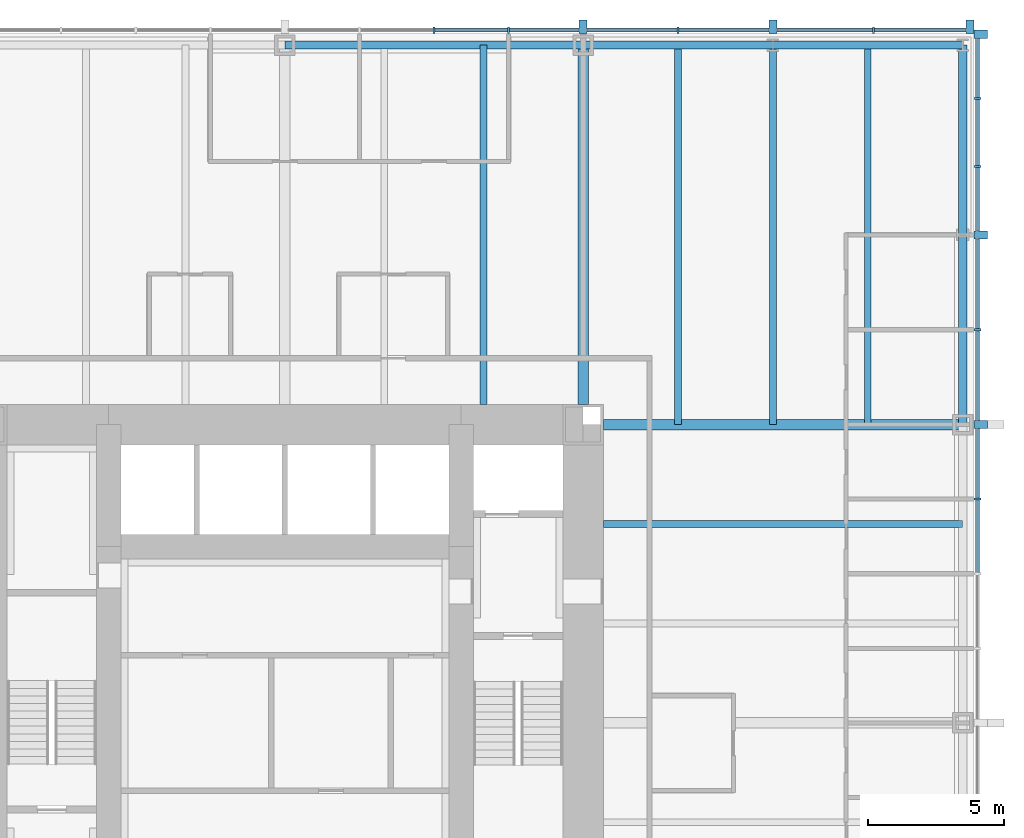
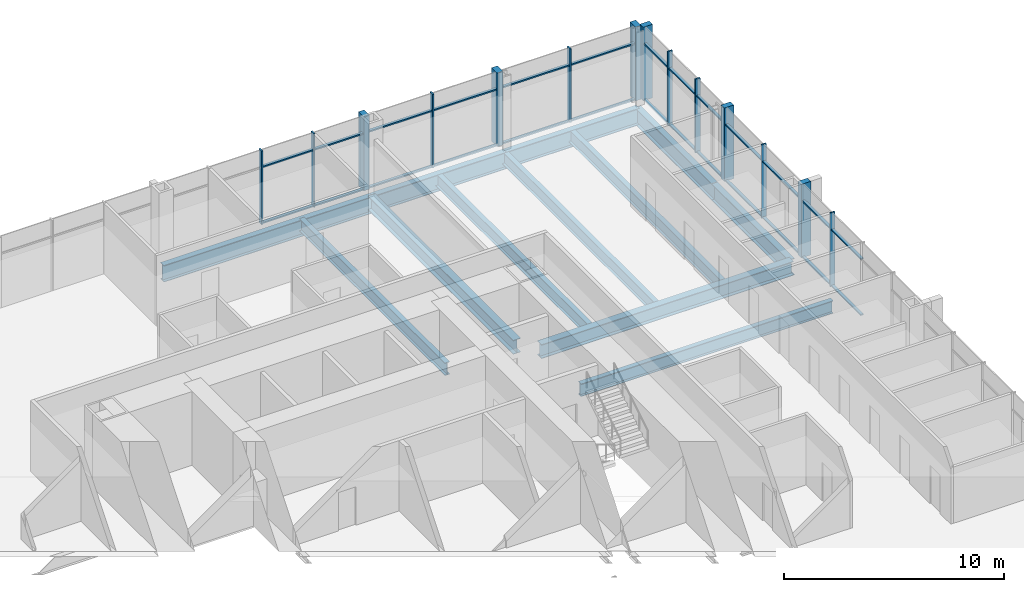
# One storey, part 6 of 12: 40 members, 12 beams, 2 elements without a shape of their own.
"""IFC4 building model written with IfcOpenShell, lengths in metres."""

import ifcopenshell
import ifcopenshell.guid

model = None  # the IFC model being written
_history = None  # IfcOwnerHistory: only IFC2X3 demands one
_inside = {}  # id of a spatial element -> (the spatial element, [elements in it])
_under = {}  # id of a project, library or spatial element -> (it, [spatial elements below it])
_declared = {}  # id of a project -> (the project, [libraries it declares])
_typed = {}  # id of a type object -> (the type object, [elements of that type])
_made_of = {}  # id of a material, layer set ... -> (it, [elements and type objects made of it])


def new_model(schema):
    """Start an empty IFC model of exactly this schema.

    Asked for "IFC4X3", IfcOpenShell would pick the latest addendum, in which some entities
    have other attributes; the version numbers below select the first issue.
    IFC2X3 requires an IfcOwnerHistory on every rooted entity: one is made here for all.
    """
    global model, _history
    if schema == "IFC4X3":
        model = ifcopenshell.file(schema_version=(4, 3, 0, 0))
    else:
        model = ifcopenshell.file(schema=schema)
    _inside.clear()
    _under.clear()
    _declared.clear()
    _typed.clear()
    _made_of.clear()
    _history = None
    if model.schema == "IFC2X3":
        org = make("IfcOrganization", Name="unknown")
        user = make(
            "IfcPersonAndOrganization",
            ThePerson=make("IfcPerson", FamilyName="unknown"),
            TheOrganization=org,
        )
        app = make(
            "IfcApplication",
            ApplicationDeveloper=org,
            Version="unknown",
            ApplicationFullName="unknown",
            ApplicationIdentifier="unknown",
        )
        _history = make(
            "IfcOwnerHistory",
            OwningUser=user,
            OwningApplication=app,
            ChangeAction="ADDED",
            CreationDate=0,
        )
    return model


def make(cls, **values):
    """One entity of the class cls with the attributes given. An attribute that is None is left unset."""
    return model.create_entity(
        cls, **{name: value for name, value in values.items() if value is not None}
    )


def rooted(cls, **values):
    """An entity with a GlobalId (a new one), such as an element, a storey or a relation."""
    return make(cls, GlobalId=ifcopenshell.guid.new(), OwnerHistory=_history, **values)


def si_unit(unit_type, name, prefix=None):
    """IfcSIUnit, for example si_unit("LENGTHUNIT", "METRE", prefix="MILLI")."""
    return make("IfcSIUnit", UnitType=unit_type, Prefix=prefix, Name=name)


def assignment(units):
    """IfcUnitAssignment: the units of a project."""
    return None if units is None else make("IfcUnitAssignment", Units=units)


def point(xyz):
    """IfcCartesianPoint."""
    return None if xyz is None else make("IfcCartesianPoint", Coordinates=xyz)


def direction(xyz):
    """IfcDirection."""
    return None if xyz is None else make("IfcDirection", DirectionRatios=xyz)


def frame(location, z_axis=None, x_axis=None):
    """IfcAxis2Placement3D, a coordinate frame: its origin and axes. An axis left out is left unset."""
    return make(
        "IfcAxis2Placement3D",
        Location=point(location),
        Axis=direction(z_axis),
        RefDirection=direction(x_axis),
    )


def frame_2d(location, x_axis=None):
    """IfcAxis2Placement2D, a coordinate frame in the plane: its origin and x axis."""
    return make(
        "IfcAxis2Placement2D", Location=point(location), RefDirection=direction(x_axis)
    )


def origin():
    """The frame at (0, 0, 0) with its axes left unset."""
    return frame((0.0, 0.0, 0.0))


def origin_2d():
    """The frame at (0, 0) in the plane with its x axis left unset."""
    return frame_2d((0.0, 0.0))


def place(relative_to, where):
    """IfcLocalPlacement: puts the frame where relative to a parent placement (None: the world)."""
    return make(
        "IfcLocalPlacement", PlacementRelTo=relative_to, RelativePlacement=where
    )


def context(
    kind, dimensions, precision=None, world=None, true_north=None, identifier=None
):
    """IfcGeometricRepresentationContext, for example the 3D "Model" context."""
    return make(
        "IfcGeometricRepresentationContext",
        ContextIdentifier=identifier,
        ContextType=kind,
        CoordinateSpaceDimension=dimensions,
        Precision=precision,
        WorldCoordinateSystem=world,
        TrueNorth=true_north,
    )


def subcontext(parent, identifier, kind, view, scale=None):
    """IfcGeometricRepresentationSubContext, for example "Body" below "Model"."""
    return make(
        "IfcGeometricRepresentationSubContext",
        ContextIdentifier=identifier,
        ContextType=kind,
        ParentContext=parent,
        TargetScale=scale,
        TargetView=view,
    )


def project(units=None, contexts=None):
    """IfcProject with its units and contexts."""
    return rooted(
        "IfcProject",
        Name="project",
        RepresentationContexts=contexts,
        UnitsInContext=assignment(units),
    )


def spatial(cls, under=None, at=None, **own):
    """A site, building, storey or space (cls), placed at a placement, below another one or the project."""
    s = rooted(cls, ObjectPlacement=at, **own)
    if under is not None:
        _under.setdefault(under.id(), (under, []))[1].append(s)
    return s


def profile(cls, at=None, kind="AREA", **sizes):
    """A parametric profile (cls). Its sizes go by their IFC names, for example OverallWidth=200.0."""
    return make(cls, ProfileType=kind, Position=at, **sizes)


def rectangle(**sizes):
    """IfcRectangleProfileDef."""
    return profile("IfcRectangleProfileDef", **sizes)


def i_section(**sizes):
    """IfcIShapeProfileDef."""
    return profile("IfcIShapeProfileDef", **sizes)


def extrude(swept, where, along, depth):
    """IfcExtrudedAreaSolid: the profile swept, set in the frame where, extruded along a direction by depth."""
    return make(
        "IfcExtrudedAreaSolid",
        SweptArea=swept,
        Position=where,
        ExtrudedDirection=direction(along),
        Depth=depth,
    )


def shape(context_of_items, identifier, shape_type, items):
    """IfcShapeRepresentation: the items that make up one representation, for example the "Body"."""
    return make(
        "IfcShapeRepresentation",
        ContextOfItems=context_of_items,
        RepresentationIdentifier=identifier,
        RepresentationType=shape_type,
        Items=items,
    )


def material(Name=None, Category=None):
    """IfcMaterial."""
    return make("IfcMaterial", Name=Name, Category=Category)


def material_profile(
    of_material, cross_section, Name=None, Category=None, Priority=None
):
    """IfcMaterialProfile: a cross section and its material."""
    return make(
        "IfcMaterialProfile",
        Name=Name,
        Material=of_material,
        Profile=cross_section,
        Priority=Priority,
        Category=Category,
    )


def profile_set(profiles, Name=None, composite=None):
    """IfcMaterialProfileSet."""
    return make(
        "IfcMaterialProfileSet",
        Name=Name,
        MaterialProfiles=profiles,
        CompositeProfile=composite,
    )


def made_of(thing, what):
    """Note that an element or type object is made of a material, layer set ...; save() writes the relation."""
    if what is not None:
        _made_of.setdefault(what.id(), (what, []))[1].append(thing)
    return thing


def type_object(cls, material=None, **own):
    """A type object (cls), such as IfcWallType, which elements share."""
    return made_of(rooted(cls, **own), material)


def element(
    cls,
    number,
    at=None,
    inside=None,
    cuts=None,
    type_object=None,
    material=None,
    context=None,
    identifier="Body",
    shape_type=None,
    held_by="IfcProductDefinitionShape",
    body=None,
    shapes=None,
    **own,
):
    """One element of the class cls, such as IfcWall. Its Tag is "e" and its number.

    at: its placement. inside: the storey or other place that contains it. cuts: it is an
    opening in that element (IfcRelVoidsElement). A single representation is given by context,
    identifier, shape_type and body (its items); several are given by shapes. held_by: the class
    of the entity that holds the representations. save() writes the other relations.
    """
    e = rooted(cls, Tag="e%d" % number, ObjectPlacement=at, **own)
    if body is not None:
        shapes = [shape(context, identifier, shape_type, body)]
    if shapes is not None:
        e.Representation = make(held_by, Representations=shapes)
    if inside is not None:
        _inside.setdefault(inside.id(), (inside, []))[1].append(e)
    if cuts is not None:
        rooted(
            "IfcRelVoidsElement", RelatingBuildingElement=cuts, RelatedOpeningElement=e
        )
    if type_object is not None:
        _typed.setdefault(type_object.id(), (type_object, []))[1].append(e)
    return made_of(e, material)


def aggregate(whole, parts):
    """IfcRelAggregates: a whole, such as a stair, and the parts it consists of."""
    return rooted("IfcRelAggregates", RelatingObject=whole, RelatedObjects=parts)


def save(model, path):
    """Write the relations noted so far, then the file.

    IfcRelAggregates (storeys below a building ...), IfcRelContainedInSpatialStructure (elements
    in a storey), IfcRelDefinesByType, IfcRelAssociatesMaterial and IfcRelDeclares: one each for
    every whole, place, type object, material and project.
    """
    for whole, parts in _under.values():
        aggregate(whole, parts)
    for where, things in _inside.values():
        rooted(
            "IfcRelContainedInSpatialStructure",
            RelatedElements=things,
            RelatingStructure=where,
        )
    for kind, things in _typed.values():
        rooted("IfcRelDefinesByType", RelatedObjects=things, RelatingType=kind)
    for what, things in _made_of.values():
        rooted("IfcRelAssociatesMaterial", RelatedObjects=things, RelatingMaterial=what)
    for by, libraries in _declared.values():
        rooted("IfcRelDeclares", RelatingContext=by, RelatedDefinitions=libraries)
    model.write(path)


model = new_model("IFC4")

# Units and contexts
model_context = context("Model", 3, precision=1e-05, world=origin(), true_north=direction((0.0, 1.0)))
body_context = subcontext(model_context, "Body", "Model", "MODEL_VIEW")
ifc_project = project(units=[si_unit("LENGTHUNIT", "METRE"), si_unit("AREAUNIT", "SQUARE_METRE"), si_unit("VOLUMEUNIT", "CUBIC_METRE"), si_unit("PLANEANGLEUNIT", "RADIAN"), si_unit("MASSUNIT", "GRAM", prefix="KILO")], contexts=[model_context])

# Site, building, storey
site_placement = place(None, origin())
site = spatial("IfcSite", under=ifc_project, at=site_placement, CompositionType="ELEMENT")
building_placement = place(site_placement, origin())
building = spatial("IfcBuilding", under=site, at=building_placement, Name="Trevanion Tower", CompositionType="ELEMENT")
storey_placement = place(building_placement, frame((0.0, 0.0, 48.800048828125)))
storey = spatial("IfcBuildingStorey", under=building, at=storey_placement, Name="L11", CompositionType="ELEMENT", Elevation=48.800048828125)

# Beams
ifc_material_1 = material(Name="Steel ASTM A992 Grade 50", Category="steel")
ifc_material_profile_1 = material_profile(ifc_material_1, i_section(OverallWidth=0.25390625, OverallDepth=0.700927734375, WebThickness=0.015380859375, FlangeThickness=0.02783203125, at=origin_2d()), Name="W27X129")
ifc_profile_set_1 = profile_set([ifc_material_profile_1], Name="Steel ASTM A992 Grade 50")
beam_type_1 = type_object("IfcBeamType", Name="B3 W27X129", PredefinedType="BEAM", material=ifc_profile_set_1)
for number, where, z_axis, x_axis, name in (
    (1, (11.75, 7.333251953125, -0.54052734375), (1.0, 0.0, 0.0), (0.0, 1.0, 0.0), "B3 L11"),
    (2, (7.333251953125, 11.75, -0.54052734375), (0.0, 1.0, 0.0), (-1.0, 0.0, 0.0), "B3 L11"),
):
    element("IfcBeam", number, at=place(storey_placement, frame(where, z_axis=z_axis, x_axis=x_axis)), inside=storey, type_object=beam_type_1, Name=name, PredefinedType="BEAM", context=body_context, shape_type="SweptSolid", body=[
        extrude(i_section(OverallWidth=0.25390625, OverallDepth=0.700927734375, WebThickness=0.015380859375, FlangeThickness=0.02783203125, at=origin_2d()), origin(), (0.0, 0.0, 1.0), 13.25),
    ])
ifc_material_2 = material(Name="Steel ASTM A992 Grade 50", Category="steel")
ifc_material_profile_2 = material_profile(ifc_material_2, i_section(OverallWidth=0.256591796875, OverallDepth=0.693359375, WebThickness=0.014404296875, FlangeThickness=0.023681640625, at=origin_2d()), Name="W27X114")
ifc_profile_set_2 = profile_set([ifc_material_profile_2], Name="Steel ASTM A992 Grade 50")
beam_type_2 = type_object("IfcBeamType", Name="B4 W27X114", PredefinedType="BEAM", material=ifc_profile_set_2)
for number, where, z_axis, x_axis, name in (
    (3, (14.5, 11.0, -0.536865234375), (0.0, 1.0, 0.0), (-1.0, 0.0, 0.0), "B4 L11"),
    (4, (18.0, 11.0, -0.536865234375), (0.0, 1.0, 0.0), (-1.0, 0.0, 0.0), "B4 L11"),
    (5, (21.5, 11.0, -0.536865234375), (0.0, 1.0, 0.0), (-1.0, 0.0, 0.0), "B4 L11"),
):
    element("IfcBeam", number, at=place(storey_placement, frame(where, z_axis=z_axis, x_axis=x_axis)), inside=storey, type_object=beam_type_2, Name=name, PredefinedType="BEAM", context=body_context, shape_type="SweptSolid", body=[
        extrude(i_section(OverallWidth=0.256591796875, OverallDepth=0.693359375, WebThickness=0.014404296875, FlangeThickness=0.023681640625, at=origin_2d()), origin(), (0.0, 0.0, 1.0), 14.0),
    ])

# Curtain wall, members
ifc_material_3 = material(Name="Aluminium and glass", Category="aluminium")
curtain_wall_type = type_object("IfcCurtainWallType", Name="CW1 curtain wall", PredefinedType="USERDEFINED", material=ifc_material_3)
curtain_wall_1_placement = place(storey_placement, origin())
curtain_wall_1 = element("IfcCurtainWall", 6, at=curtain_wall_1_placement, inside=storey, type_object=curtain_wall_type, Name="CW1 L11 0", ObjectType="UNITISED CURTAIN WALL", PredefinedType="USERDEFINED")
ifc_material_4 = material(Name="Aluminium extrusion, anodised bronze", Category="aluminium")
ifc_material_profile_3 = material_profile(ifc_material_4, rectangle(XDim=0.074951171875, YDim=0.25, at=origin_2d()), Name="CW1 mullion")
ifc_profile_set_3 = profile_set([ifc_material_profile_3], Name="Aluminium extrusion, anodised bronze")
member_type_1 = type_object("IfcMemberType", Name="CW1 mullion", PredefinedType="MULLION", material=ifc_profile_set_3)
member_1_placement = place(storey_placement, frame((25.550048828125, 8.25, -0.18994140625), z_axis=(0.0, 0.0, 1.0), x_axis=(0.0, 1.0, 0.0)))
member_1 = element("IfcMember", 7, at=member_1_placement, type_object=member_type_1, Name="CW1 mullion 12", PredefinedType="MULLION", context=body_context, shape_type="SweptSolid", body=[
    extrude(rectangle(XDim=0.074951171875, YDim=0.25, at=origin_2d()), origin(), (0.0, 0.0, 1.0), 4.099853515625),
])
member_2_placement = place(storey_placement, frame((25.550048828125, 14.5, -0.18994140625), z_axis=(0.0, 0.0, 1.0), x_axis=(0.0, 1.0, 0.0)))
member_2 = element("IfcMember", 8, at=member_2_placement, type_object=member_type_1, Name="CW1 mullion 14", PredefinedType="MULLION", context=body_context, shape_type="SweptSolid", body=[
    extrude(rectangle(XDim=0.074951171875, YDim=0.25, at=origin_2d()), origin(), (0.0, 0.0, 1.0), 4.099853515625),
])
member_3_placement = place(storey_placement, frame((25.550048828125, 20.5166015625, -0.18994140625), z_axis=(0.0, 0.0, 1.0), x_axis=(0.0, 1.0, 0.0)))
member_3 = element("IfcMember", 9, at=member_3_placement, type_object=member_type_1, Name="CW1 mullion 16", PredefinedType="MULLION", context=body_context, shape_type="SweptSolid", body=[
    extrude(rectangle(XDim=0.074951171875, YDim=0.25, at=origin_2d()), origin(), (0.0, 0.0, 1.0), 4.099853515625),
])
member_4_placement = place(storey_placement, frame((25.550048828125, 23.033203125, -0.18994140625), z_axis=(0.0, 0.0, 1.0), x_axis=(0.0, 1.0, 0.0)))
member_4 = element("IfcMember", 10, at=member_4_placement, type_object=member_type_1, Name="CW1 mullion 17", PredefinedType="MULLION", context=body_context, shape_type="SweptSolid", body=[
    extrude(rectangle(XDim=0.074951171875, YDim=0.25, at=origin_2d()), origin(), (0.0, 0.0, 1.0), 4.099853515625),
])

curtain_wall_2_placement = place(storey_placement, origin())
curtain_wall_2 = element("IfcCurtainWall", 11, at=curtain_wall_2_placement, inside=storey, type_object=curtain_wall_type, Name="CW1 L11 1", ObjectType="UNITISED CURTAIN WALL", PredefinedType="USERDEFINED")
member_5_placement = place(storey_placement, frame((21.7099609375, 25.550048828125, -0.18994140625), z_axis=(0.0, 0.0, 1.0), x_axis=(-1.0, 0.0, 0.0)))
member_5 = element("IfcMember", 12, at=member_5_placement, type_object=member_type_1, Name="CW1 mullion 2", PredefinedType="MULLION", context=body_context, shape_type="SweptSolid", body=[
    extrude(rectangle(XDim=0.074951171875, YDim=0.25, at=origin_2d()), origin(), (0.0, 0.0, 1.0), 4.099853515625),
])
member_6_placement = place(storey_placement, frame((14.5, 25.550048828125, -0.18994140625), z_axis=(0.0, 0.0, 1.0), x_axis=(-1.0, 0.0, 0.0)))
member_6 = element("IfcMember", 13, at=member_6_placement, type_object=member_type_1, Name="CW1 mullion 4", PredefinedType="MULLION", context=body_context, shape_type="SweptSolid", body=[
    extrude(rectangle(XDim=0.074951171875, YDim=0.25, at=origin_2d()), origin(), (0.0, 0.0, 1.0), 4.099853515625),
])
member_7_placement = place(storey_placement, frame((8.25, 25.550048828125, -0.18994140625), z_axis=(0.0, 0.0, 1.0), x_axis=(-1.0, 0.0, 0.0)))
member_7 = element("IfcMember", 14, at=member_7_placement, type_object=member_type_1, Name="CW1 mullion 6", PredefinedType="MULLION", context=body_context, shape_type="SweptSolid", body=[
    extrude(rectangle(XDim=0.074951171875, YDim=0.25, at=origin_2d()), origin(), (0.0, 0.0, 1.0), 4.099853515625),
])
member_8_placement = place(storey_placement, frame((5.5, 25.550048828125, -0.18994140625), z_axis=(0.0, 0.0, 1.0), x_axis=(-1.0, 0.0, 0.0)))
member_8 = element("IfcMember", 15, at=member_8_placement, type_object=member_type_1, Name="CW1 mullion 7", PredefinedType="MULLION", context=body_context, shape_type="SweptSolid", body=[
    extrude(rectangle(XDim=0.074951171875, YDim=0.25, at=origin_2d()), origin(), (0.0, 0.0, 1.0), 4.099853515625),
])

# Member
ifc_material_5 = material(Name="Aluminium extrusion, anodised bronze", Category="aluminium")
ifc_material_profile_4 = material_profile(ifc_material_5, rectangle(XDim=0.300048828125, YDim=0.5, at=origin_2d()), Name="CW1 pier mullion")
ifc_profile_set_4 = profile_set([ifc_material_profile_4], Name="Aluminium extrusion, anodised bronze")
member_type_2 = type_object("IfcMemberType", Name="CW1 pier mullion", PredefinedType="MULLION", material=ifc_profile_set_4)
member_9_placement = place(storey_placement, frame((25.675048828125, 11.0, -0.18994140625), z_axis=(0.0, 0.0, 1.0), x_axis=(0.0, 1.0, 0.0)))
member_9 = element("IfcMember", 16, at=member_9_placement, type_object=member_type_2, Name="CW1 pier mullion 13", PredefinedType="MULLION", context=body_context, shape_type="SweptSolid", body=[
    extrude(rectangle(XDim=0.300048828125, YDim=0.5, at=origin_2d()), origin(), (0.0, 0.0, 1.0), 4.099853515625),
])

member_10_placement = place(storey_placement, frame((25.675048828125, 18.0, -0.18994140625), z_axis=(0.0, 0.0, 1.0), x_axis=(0.0, 1.0, 0.0)))
member_10 = element("IfcMember", 17, at=member_10_placement, type_object=member_type_2, Name="CW1 pier mullion 15", PredefinedType="MULLION", context=body_context, shape_type="SweptSolid", body=[
    extrude(rectangle(XDim=0.300048828125, YDim=0.5, at=origin_2d()), origin(), (0.0, 0.0, 1.0), 4.099853515625),
])

member_11_placement = place(storey_placement, frame((25.675048828125, 25.39990234375, -0.18994140625), z_axis=(0.0, 0.0, 1.0), x_axis=(0.0, 1.0, 0.0)))
member_11 = element("IfcMember", 18, at=member_11_placement, type_object=member_type_2, Name="CW1 pier mullion 18", PredefinedType="MULLION", context=body_context, shape_type="SweptSolid", body=[
    extrude(rectangle(XDim=0.300048828125, YDim=0.5, at=origin_2d()), origin(), (0.0, 0.0, 1.0), 4.099853515625),
])

member_12_placement = place(storey_placement, frame((25.27001953125, 25.675048828125, -0.18994140625), z_axis=(0.0, 0.0, 1.0), x_axis=(-1.0, 0.0, 0.0)))
member_12 = element("IfcMember", 19, at=member_12_placement, type_object=member_type_2, Name="CW1 pier mullion 1", PredefinedType="MULLION", context=body_context, shape_type="SweptSolid", body=[
    extrude(rectangle(XDim=0.300048828125, YDim=0.5, at=origin_2d()), origin(), (0.0, 0.0, 1.0), 4.099853515625),
])

member_13_placement = place(storey_placement, frame((18.0, 25.675048828125, -0.18994140625), z_axis=(0.0, 0.0, 1.0), x_axis=(-1.0, 0.0, 0.0)))
member_13 = element("IfcMember", 20, at=member_13_placement, type_object=member_type_2, Name="CW1 pier mullion 3", PredefinedType="MULLION", context=body_context, shape_type="SweptSolid", body=[
    extrude(rectangle(XDim=0.300048828125, YDim=0.5, at=origin_2d()), origin(), (0.0, 0.0, 1.0), 4.099853515625),
])

member_14_placement = place(storey_placement, frame((11.0, 25.675048828125, -0.18994140625), z_axis=(0.0, 0.0, 1.0), x_axis=(-1.0, 0.0, 0.0)))
member_14 = element("IfcMember", 21, at=member_14_placement, type_object=member_type_2, Name="CW1 pier mullion 5", PredefinedType="MULLION", context=body_context, shape_type="SweptSolid", body=[
    extrude(rectangle(XDim=0.300048828125, YDim=0.5, at=origin_2d()), origin(), (0.0, 0.0, 1.0), 4.099853515625),
])

ifc_material_6 = material(Name="Aluminium extrusion, anodised bronze", Category="aluminium")
ifc_material_profile_5 = material_profile(ifc_material_6, rectangle(XDim=0.14990234375, YDim=0.074951171875, at=origin_2d()), Name="CW1 transom")
ifc_profile_set_5 = profile_set([ifc_material_profile_5], Name="Aluminium extrusion, anodised bronze")
member_type_3 = type_object("IfcMemberType", Name="CW1 transom", PredefinedType="USERDEFINED", material=ifc_profile_set_5)
member_15_placement = place(storey_placement, frame((25.550048828125, 5.53759765625, -0.152587890625), z_axis=(0.0, 1.0, 0.0), x_axis=(-1.0, 0.0, 0.0)))
member_15 = element("IfcMember", 22, at=member_15_placement, type_object=member_type_3, Name="CW1 transom 11.1", ObjectType="TRANSOM", PredefinedType="USERDEFINED", context=body_context, shape_type="SweptSolid", body=[
    extrude(rectangle(XDim=0.14990234375, YDim=0.074951171875, at=origin_2d()), origin(), (0.0, 0.0, 1.0), 2.6748046875),
])

member_16_placement = place(storey_placement, frame((25.550048828125, 5.53759765625, 2.9599609375), z_axis=(0.0, 1.0, 0.0), x_axis=(-1.0, 0.0, 0.0)))
member_16 = element("IfcMember", 23, at=member_16_placement, type_object=member_type_3, Name="CW1 transom 11.2", ObjectType="TRANSOM", PredefinedType="USERDEFINED", context=body_context, shape_type="SweptSolid", body=[
    extrude(rectangle(XDim=0.14990234375, YDim=0.074951171875, at=origin_2d()), origin(), (0.0, 0.0, 1.0), 2.6748046875),
])

member_17_placement = place(storey_placement, frame((25.550048828125, 8.28759765625, -0.152587890625), z_axis=(0.0, 1.0, 0.0), x_axis=(-1.0, 0.0, 0.0)))
member_17 = element("IfcMember", 24, at=member_17_placement, type_object=member_type_3, Name="CW1 transom 12.1", ObjectType="TRANSOM", PredefinedType="USERDEFINED", context=body_context, shape_type="SweptSolid", body=[
    extrude(rectangle(XDim=0.14990234375, YDim=0.074951171875, at=origin_2d()), origin(), (0.0, 0.0, 1.0), 2.5625),
])

member_18_placement = place(storey_placement, frame((25.550048828125, 8.28759765625, 2.9599609375), z_axis=(0.0, 1.0, 0.0), x_axis=(-1.0, 0.0, 0.0)))
member_18 = element("IfcMember", 25, at=member_18_placement, type_object=member_type_3, Name="CW1 transom 12.2", ObjectType="TRANSOM", PredefinedType="USERDEFINED", context=body_context, shape_type="SweptSolid", body=[
    extrude(rectangle(XDim=0.14990234375, YDim=0.074951171875, at=origin_2d()), origin(), (0.0, 0.0, 1.0), 2.5625),
])

member_19_placement = place(storey_placement, frame((25.550048828125, 11.14990234375, -0.152587890625), z_axis=(0.0, 1.0, 0.0), x_axis=(-1.0, 0.0, 0.0)))
member_19 = element("IfcMember", 26, at=member_19_placement, type_object=member_type_3, Name="CW1 transom 13.1", ObjectType="TRANSOM", PredefinedType="USERDEFINED", context=body_context, shape_type="SweptSolid", body=[
    extrude(rectangle(XDim=0.14990234375, YDim=0.074951171875, at=origin_2d()), origin(), (0.0, 0.0, 1.0), 3.3125),
])

member_20_placement = place(storey_placement, frame((25.550048828125, 11.14990234375, 2.9599609375), z_axis=(0.0, 1.0, 0.0), x_axis=(-1.0, 0.0, 0.0)))
member_20 = element("IfcMember", 27, at=member_20_placement, type_object=member_type_3, Name="CW1 transom 13.2", ObjectType="TRANSOM", PredefinedType="USERDEFINED", context=body_context, shape_type="SweptSolid", body=[
    extrude(rectangle(XDim=0.14990234375, YDim=0.074951171875, at=origin_2d()), origin(), (0.0, 0.0, 1.0), 3.3125),
])

member_21_placement = place(storey_placement, frame((25.550048828125, 14.53759765625, -0.152587890625), z_axis=(0.0, 1.0, 0.0), x_axis=(-1.0, 0.0, 0.0)))
member_21 = element("IfcMember", 28, at=member_21_placement, type_object=member_type_3, Name="CW1 transom 14.1", ObjectType="TRANSOM", PredefinedType="USERDEFINED", context=body_context, shape_type="SweptSolid", body=[
    extrude(rectangle(XDim=0.14990234375, YDim=0.074951171875, at=origin_2d()), origin(), (0.0, 0.0, 1.0), 3.3125),
])

member_22_placement = place(storey_placement, frame((25.550048828125, 14.53759765625, 2.9599609375), z_axis=(0.0, 1.0, 0.0), x_axis=(-1.0, 0.0, 0.0)))
member_22 = element("IfcMember", 29, at=member_22_placement, type_object=member_type_3, Name="CW1 transom 14.2", ObjectType="TRANSOM", PredefinedType="USERDEFINED", context=body_context, shape_type="SweptSolid", body=[
    extrude(rectangle(XDim=0.14990234375, YDim=0.074951171875, at=origin_2d()), origin(), (0.0, 0.0, 1.0), 3.3125),
])

member_23_placement = place(storey_placement, frame((25.550048828125, 18.14990234375, -0.152587890625), z_axis=(0.0, 1.0, 0.0), x_axis=(-1.0, 0.0, 0.0)))
member_23 = element("IfcMember", 30, at=member_23_placement, type_object=member_type_3, Name="CW1 transom 15.1", ObjectType="TRANSOM", PredefinedType="USERDEFINED", context=body_context, shape_type="SweptSolid", body=[
    extrude(rectangle(XDim=0.14990234375, YDim=0.074951171875, at=origin_2d()), origin(), (0.0, 0.0, 1.0), 2.329345703125),
])

member_24_placement = place(storey_placement, frame((25.550048828125, 18.14990234375, 2.9599609375), z_axis=(0.0, 1.0, 0.0), x_axis=(-1.0, 0.0, 0.0)))
member_24 = element("IfcMember", 31, at=member_24_placement, type_object=member_type_3, Name="CW1 transom 15.2", ObjectType="TRANSOM", PredefinedType="USERDEFINED", context=body_context, shape_type="SweptSolid", body=[
    extrude(rectangle(XDim=0.14990234375, YDim=0.074951171875, at=origin_2d()), origin(), (0.0, 0.0, 1.0), 2.329345703125),
])

member_25_placement = place(storey_placement, frame((25.550048828125, 20.55419921875, -0.152587890625), z_axis=(0.0, 1.0, 0.0), x_axis=(-1.0, 0.0, 0.0)))
member_25 = element("IfcMember", 32, at=member_25_placement, type_object=member_type_3, Name="CW1 transom 16.1", ObjectType="TRANSOM", PredefinedType="USERDEFINED", context=body_context, shape_type="SweptSolid", body=[
    extrude(rectangle(XDim=0.14990234375, YDim=0.074951171875, at=origin_2d()), origin(), (0.0, 0.0, 1.0), 2.441650390625),
])

member_26_placement = place(storey_placement, frame((25.550048828125, 20.55419921875, 2.9599609375), z_axis=(0.0, 1.0, 0.0), x_axis=(-1.0, 0.0, 0.0)))
member_26 = element("IfcMember", 33, at=member_26_placement, type_object=member_type_3, Name="CW1 transom 16.2", ObjectType="TRANSOM", PredefinedType="USERDEFINED", context=body_context, shape_type="SweptSolid", body=[
    extrude(rectangle(XDim=0.14990234375, YDim=0.074951171875, at=origin_2d()), origin(), (0.0, 0.0, 1.0), 2.441650390625),
])

member_27_placement = place(storey_placement, frame((25.550048828125, 23.07080078125, -0.152587890625), z_axis=(0.0, 1.0, 0.0), x_axis=(-1.0, 0.0, 0.0)))
member_27 = element("IfcMember", 34, at=member_27_placement, type_object=member_type_3, Name="CW1 transom 17.1", ObjectType="TRANSOM", PredefinedType="USERDEFINED", context=body_context, shape_type="SweptSolid", body=[
    extrude(rectangle(XDim=0.14990234375, YDim=0.074951171875, at=origin_2d()), origin(), (0.0, 0.0, 1.0), 2.17919921875),
])

member_28_placement = place(storey_placement, frame((25.550048828125, 23.07080078125, 2.9599609375), z_axis=(0.0, 1.0, 0.0), x_axis=(-1.0, 0.0, 0.0)))
member_28 = element("IfcMember", 35, at=member_28_placement, type_object=member_type_3, Name="CW1 transom 17.2", ObjectType="TRANSOM", PredefinedType="USERDEFINED", context=body_context, shape_type="SweptSolid", body=[
    extrude(rectangle(XDim=0.14990234375, YDim=0.074951171875, at=origin_2d()), origin(), (0.0, 0.0, 1.0), 2.17919921875),
])

aggregate(curtain_wall_1, [member_1, member_9, member_2, member_10, member_3, member_4, member_11, member_15, member_16, member_17, member_18, member_19, member_20, member_21, member_22, member_23, member_24, member_25, member_26, member_27, member_28])

member_29_placement = place(storey_placement, frame((25.1201171875, 25.550048828125, -0.152587890625), z_axis=(-1.0, 0.0, 0.0), x_axis=(0.0, -1.0, 0.0)))
member_29 = element("IfcMember", 36, at=member_29_placement, type_object=member_type_3, Name="CW1 transom 1.1", ObjectType="TRANSOM", PredefinedType="USERDEFINED", context=body_context, shape_type="SweptSolid", body=[
    extrude(rectangle(XDim=0.14990234375, YDim=0.074951171875, at=origin_2d()), origin(), (0.0, 0.0, 1.0), 3.37255859375),
])

member_30_placement = place(storey_placement, frame((25.1201171875, 25.550048828125, 2.9599609375), z_axis=(-1.0, 0.0, 0.0), x_axis=(0.0, -1.0, 0.0)))
member_30 = element("IfcMember", 37, at=member_30_placement, type_object=member_type_3, Name="CW1 transom 1.2", ObjectType="TRANSOM", PredefinedType="USERDEFINED", context=body_context, shape_type="SweptSolid", body=[
    extrude(rectangle(XDim=0.14990234375, YDim=0.074951171875, at=origin_2d()), origin(), (0.0, 0.0, 1.0), 3.37255859375),
])

member_31_placement = place(storey_placement, frame((21.672607421875, 25.550048828125, -0.152587890625), z_axis=(-1.0, 0.0, 0.0), x_axis=(0.0, -1.0, 0.0)))
member_31 = element("IfcMember", 38, at=member_31_placement, type_object=member_type_3, Name="CW1 transom 2.1", ObjectType="TRANSOM", PredefinedType="USERDEFINED", context=body_context, shape_type="SweptSolid", body=[
    extrude(rectangle(XDim=0.14990234375, YDim=0.074951171875, at=origin_2d()), origin(), (0.0, 0.0, 1.0), 3.522705078125),
])

member_32_placement = place(storey_placement, frame((21.672607421875, 25.550048828125, 2.9599609375), z_axis=(-1.0, 0.0, 0.0), x_axis=(0.0, -1.0, 0.0)))
member_32 = element("IfcMember", 39, at=member_32_placement, type_object=member_type_3, Name="CW1 transom 2.2", ObjectType="TRANSOM", PredefinedType="USERDEFINED", context=body_context, shape_type="SweptSolid", body=[
    extrude(rectangle(XDim=0.14990234375, YDim=0.074951171875, at=origin_2d()), origin(), (0.0, 0.0, 1.0), 3.522705078125),
])

member_33_placement = place(storey_placement, frame((17.85009765625, 25.550048828125, -0.152587890625), z_axis=(-1.0, 0.0, 0.0), x_axis=(0.0, -1.0, 0.0)))
member_33 = element("IfcMember", 40, at=member_33_placement, type_object=member_type_3, Name="CW1 transom 3.1", ObjectType="TRANSOM", PredefinedType="USERDEFINED", context=body_context, shape_type="SweptSolid", body=[
    extrude(rectangle(XDim=0.14990234375, YDim=0.074951171875, at=origin_2d()), origin(), (0.0, 0.0, 1.0), 3.3125),
])

member_34_placement = place(storey_placement, frame((17.85009765625, 25.550048828125, 2.9599609375), z_axis=(-1.0, 0.0, 0.0), x_axis=(0.0, -1.0, 0.0)))
member_34 = element("IfcMember", 41, at=member_34_placement, type_object=member_type_3, Name="CW1 transom 3.2", ObjectType="TRANSOM", PredefinedType="USERDEFINED", context=body_context, shape_type="SweptSolid", body=[
    extrude(rectangle(XDim=0.14990234375, YDim=0.074951171875, at=origin_2d()), origin(), (0.0, 0.0, 1.0), 3.3125),
])

member_35_placement = place(storey_placement, frame((14.46240234375, 25.550048828125, -0.152587890625), z_axis=(-1.0, 0.0, 0.0), x_axis=(0.0, -1.0, 0.0)))
member_35 = element("IfcMember", 42, at=member_35_placement, type_object=member_type_3, Name="CW1 transom 4.1", ObjectType="TRANSOM", PredefinedType="USERDEFINED", context=body_context, shape_type="SweptSolid", body=[
    extrude(rectangle(XDim=0.14990234375, YDim=0.074951171875, at=origin_2d()), origin(), (0.0, 0.0, 1.0), 3.3125),
])

member_36_placement = place(storey_placement, frame((14.46240234375, 25.550048828125, 2.9599609375), z_axis=(-1.0, 0.0, 0.0), x_axis=(0.0, -1.0, 0.0)))
member_36 = element("IfcMember", 43, at=member_36_placement, type_object=member_type_3, Name="CW1 transom 4.2", ObjectType="TRANSOM", PredefinedType="USERDEFINED", context=body_context, shape_type="SweptSolid", body=[
    extrude(rectangle(XDim=0.14990234375, YDim=0.074951171875, at=origin_2d()), origin(), (0.0, 0.0, 1.0), 3.3125),
])

member_37_placement = place(storey_placement, frame((10.85009765625, 25.550048828125, -0.152587890625), z_axis=(-1.0, 0.0, 0.0), x_axis=(0.0, -1.0, 0.0)))
member_37 = element("IfcMember", 44, at=member_37_placement, type_object=member_type_3, Name="CW1 transom 5.1", ObjectType="TRANSOM", PredefinedType="USERDEFINED", context=body_context, shape_type="SweptSolid", body=[
    extrude(rectangle(XDim=0.14990234375, YDim=0.074951171875, at=origin_2d()), origin(), (0.0, 0.0, 1.0), 2.5625),
])

member_38_placement = place(storey_placement, frame((10.85009765625, 25.550048828125, 2.9599609375), z_axis=(-1.0, 0.0, 0.0), x_axis=(0.0, -1.0, 0.0)))
member_38 = element("IfcMember", 45, at=member_38_placement, type_object=member_type_3, Name="CW1 transom 5.2", ObjectType="TRANSOM", PredefinedType="USERDEFINED", context=body_context, shape_type="SweptSolid", body=[
    extrude(rectangle(XDim=0.14990234375, YDim=0.074951171875, at=origin_2d()), origin(), (0.0, 0.0, 1.0), 2.5625),
])

member_39_placement = place(storey_placement, frame((8.21240234375, 25.550048828125, -0.152587890625), z_axis=(-1.0, 0.0, 0.0), x_axis=(0.0, -1.0, 0.0)))
member_39 = element("IfcMember", 46, at=member_39_placement, type_object=member_type_3, Name="CW1 transom 6.1", ObjectType="TRANSOM", PredefinedType="USERDEFINED", context=body_context, shape_type="SweptSolid", body=[
    extrude(rectangle(XDim=0.14990234375, YDim=0.074951171875, at=origin_2d()), origin(), (0.0, 0.0, 1.0), 2.6748046875),
])

member_40_placement = place(storey_placement, frame((8.21240234375, 25.550048828125, 2.9599609375), z_axis=(-1.0, 0.0, 0.0), x_axis=(0.0, -1.0, 0.0)))
member_40 = element("IfcMember", 47, at=member_40_placement, type_object=member_type_3, Name="CW1 transom 6.2", ObjectType="TRANSOM", PredefinedType="USERDEFINED", context=body_context, shape_type="SweptSolid", body=[
    extrude(rectangle(XDim=0.14990234375, YDim=0.074951171875, at=origin_2d()), origin(), (0.0, 0.0, 1.0), 2.6748046875),
])

aggregate(curtain_wall_2, [member_12, member_5, member_13, member_6, member_14, member_7, member_8, member_29, member_30, member_31, member_32, member_33, member_34, member_35, member_36, member_37, member_38, member_39, member_40])

# Beams
ifc_material_7 = material(Name="Steel ASTM A992 Grade 50", Category="steel")
ifc_material_profile_6 = material_profile(ifc_material_7, i_section(OverallWidth=0.381103515625, OverallDepth=0.77978515625, WebThickness=0.01806640625, FlangeThickness=0.0302734375, at=origin_2d()), Name="W30X191")
ifc_profile_set_6 = profile_set([ifc_material_profile_6], Name="Steel ASTM A992 Grade 50")
beam_type_3 = type_object("IfcBeamType", Name="G2 W30X191", PredefinedType="BEAM", material=ifc_profile_set_6)
for number, where, z_axis, x_axis, name in (
    (48, (11.75, 11.0, -0.579833984375), (1.0, 0.0, 0.0), (0.0, 1.0, 0.0), "G2 L11"),
    (49, (11.0, 11.75, -0.579833984375), (0.0, 1.0, 0.0), (-1.0, 0.0, 0.0), "G2 L11"),
):
    element("IfcBeam", number, at=place(storey_placement, frame(where, z_axis=z_axis, x_axis=x_axis)), inside=storey, type_object=beam_type_3, Name=name, PredefinedType="BEAM", context=body_context, shape_type="SweptSolid", body=[
        extrude(i_section(OverallWidth=0.381103515625, OverallDepth=0.77978515625, WebThickness=0.01806640625, FlangeThickness=0.0302734375, at=origin_2d()), origin(), (0.0, 0.0, 1.0), 13.25),
    ])
ifc_material_8 = material(Name="Steel ASTM A992 Grade 50", Category="steel")
ifc_material_profile_7 = material_profile(ifc_material_8, i_section(OverallWidth=0.307373046875, OverallDepth=0.927001953125, WebThickness=0.01953125, FlangeThickness=0.031982421875, at=origin_2d()), Name="W36X194")
ifc_profile_set_7 = profile_set([ifc_material_profile_7], Name="Steel ASTM A992 Grade 50")
beam_type_4 = type_object("IfcBeamType", Name="SB2 W36X194", PredefinedType="SPANDREL", material=ifc_profile_set_7)
for number, where, z_axis, x_axis, name in (
    (50, (25.0, 11.0, -0.653564453125), (0.0, 1.0, 0.0), (-1.0, 0.0, 0.0), "SB2 L11"),
    (51, (25.0, 18.0, -0.653564453125), (0.0, 1.0, 0.0), (-1.0, 0.0, 0.0), "SB2 L11"),
    (52, (25.0, 25.0, -0.653564453125), (-1.0, 0.0, 0.0), (0.0, -1.0, 0.0), "SB2 L11"),
    (53, (18.0, 25.0, -0.653564453125), (-1.0, 0.0, 0.0), (0.0, -1.0, 0.0), "SB2 L11"),
):
    element("IfcBeam", number, at=place(storey_placement, frame(where, z_axis=z_axis, x_axis=x_axis)), inside=storey, type_object=beam_type_4, Name=name, PredefinedType="SPANDREL", context=body_context, shape_type="SweptSolid", body=[
        extrude(i_section(OverallWidth=0.307373046875, OverallDepth=0.927001953125, WebThickness=0.01953125, FlangeThickness=0.031982421875, at=origin_2d()), origin(), (0.0, 0.0, 1.0), 7.0),
    ])
beam_placement = place(storey_placement, frame((11.0, 25.0, -0.653564453125), z_axis=(-1.0, 0.0, 0.0), x_axis=(0.0, -1.0, 0.0)))
element("IfcBeam", 54, at=beam_placement, inside=storey, type_object=beam_type_4, Name="SB2 L11", PredefinedType="SPANDREL", context=body_context, shape_type="SweptSolid", body=[
    extrude(i_section(OverallWidth=0.307373046875, OverallDepth=0.927001953125, WebThickness=0.01953125, FlangeThickness=0.031982421875, at=origin_2d()), origin(), (0.0, 0.0, 1.0), 11.0),
])

save(model, "model.ifc")
